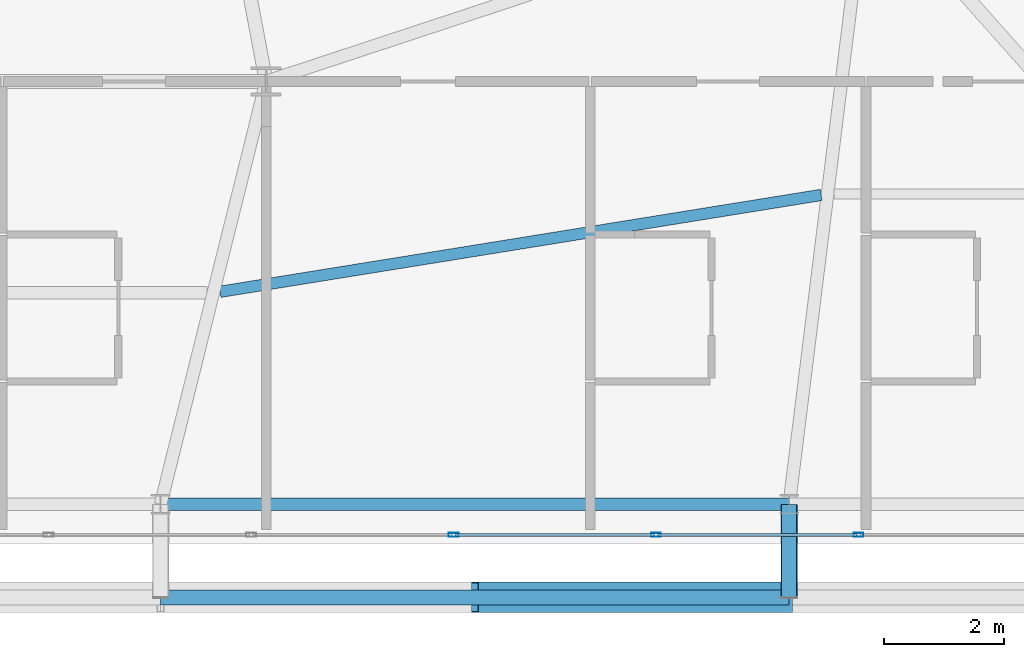
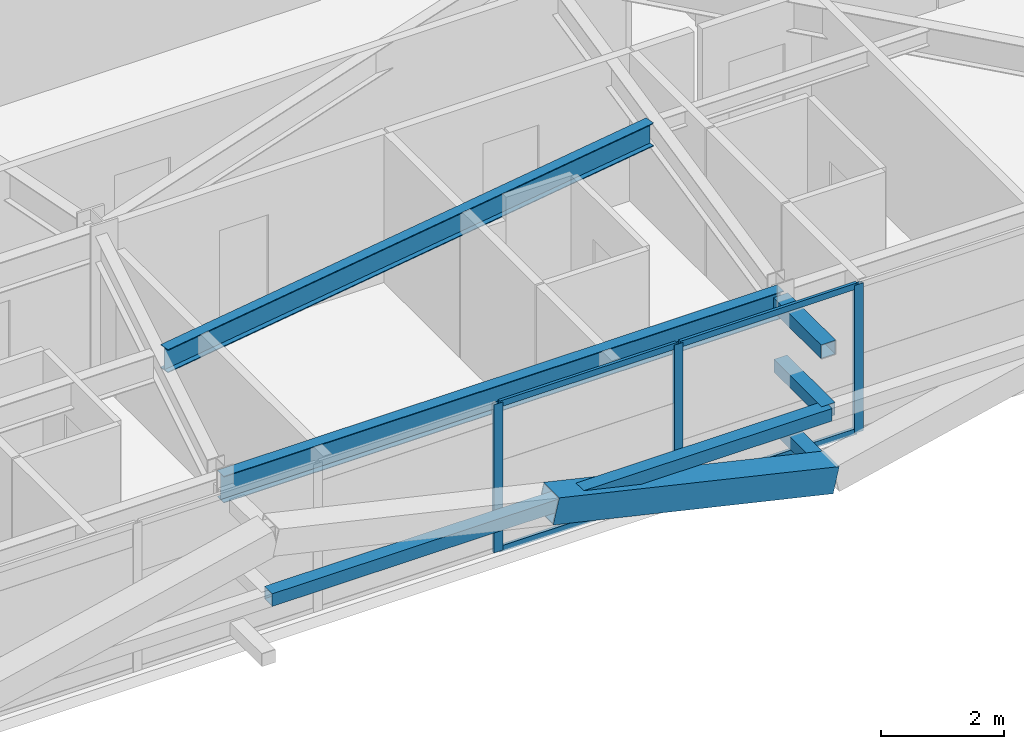
# One storey, part 21 of 59: 12 members, 2 beams, 1 element without a shape of its own.
"""IFC4 building model written with IfcOpenShell, lengths in metres."""

from ifc_helpers import new_model, si_unit, direction, frame, origin, origin_2d, place, context, subcontext, project, spatial, hollow_rectangle, i_section, extrude, source, transform, mapped, material, layer, layer_set, material_profile, profile_set, type_object, element, aggregate, save


model = new_model("IFC4")

# Units and contexts
model_context = context("Model", 3, precision=1e-05, world=origin(), true_north=direction((0.0, 1.0)))
body_context = subcontext(model_context, "Body", "Model", "MODEL_VIEW")
ifc_project = project(units=[si_unit("LENGTHUNIT", "METRE"), si_unit("AREAUNIT", "SQUARE_METRE"), si_unit("VOLUMEUNIT", "CUBIC_METRE"), si_unit("PLANEANGLEUNIT", "RADIAN"), si_unit("MASSUNIT", "GRAM", prefix="KILO")], contexts=[model_context])

# Site, building, storey
site_placement = place(None, origin())
site = spatial("IfcSite", under=ifc_project, at=site_placement, CompositionType="ELEMENT")
building_placement = place(site_placement, origin())
building = spatial("IfcBuilding", under=site, at=building_placement, Name="Taldren Reach Tower", CompositionType="ELEMENT")
storey_placement = place(building_placement, frame((0.0, 0.0, 23.10009765625)))
storey = spatial("IfcBuildingStorey", under=building, at=storey_placement, Name="L06", CompositionType="ELEMENT", Elevation=23.10009765625)

# Beams
ifc_material_1 = material(Name="Steel Gr 350 (350PLUS)", Category="steel")
ifc_material_profile_1 = material_profile(ifc_material_1, i_section(OverallWidth=0.208984375, OverallDepth=0.528076171875, WebThickness=0.009521484375, FlangeThickness=0.01318359375, at=origin_2d()), Name="530UB82.0")
ifc_profile_set_1 = profile_set([ifc_material_profile_1], Name="Steel Gr 350 (350PLUS)")
beam_type_1 = type_object("IfcBeamType", Name="SP-UB530B", PredefinedType="SPANDREL", material=ifc_profile_set_1)
shared_shape_1 = source(origin(), body_context, "Body", "SweptSolid", [
    extrude(i_section(OverallWidth=0.208984375, OverallDepth=0.528076171875, WebThickness=0.009521484375, FlangeThickness=0.01318359375, at=origin_2d()), origin(), (0.0, 0.0, 1.0), 10.47998046875),
])
beam_1_placement = place(storey_placement, frame((40.239990234375, 2.14990234375, 2.666015625), z_axis=(1.0, 0.0, 0.0), x_axis=(0.0, 1.0, 0.0)))
element("IfcBeam", 1, at=beam_1_placement, inside=storey, type_object=beam_type_1, Name="Perimeter spandrel B1 S4-S5 L06", PredefinedType="SPANDREL", context=body_context, shape_type="MappedRepresentation", body=[
    mapped(shared_shape_1, transform((0.0, 0.0, 0.0), scale=1.0)),
])
ifc_material_profile_2 = material_profile(ifc_material_1, i_section(OverallWidth=0.19091796875, OverallDepth=0.4599609375, WebThickness=0.010009765625, FlangeThickness=0.01611328125, at=origin_2d()), Name="460UB82.1")
ifc_profile_set_2 = profile_set([ifc_material_profile_2], Name="Steel Gr 350 (350PLUS)")
beam_type_2 = type_object("IfcBeamType", Name="BM-UB460A", PredefinedType="BEAM", material=ifc_profile_set_2)
shared_shape_2 = source(origin(), body_context, "Body", "SweptSolid", [
    extrude(i_section(OverallWidth=0.19091796875, OverallDepth=0.4599609375, WebThickness=0.010009765625, FlangeThickness=0.01611328125, at=origin_2d()), origin(), (0.0, 0.0, 1.0), 10.1494140625),
])
beam_2_placement = place(storey_placement, frame((41.232177734375, 5.693115234375, 2.699951171875), z_axis=(0.987266967452, 0.159072106224, 0.0), x_axis=(-0.159072106224, 0.987266967452, 0.0)))
element("IfcBeam", 2, at=beam_2_placement, inside=storey, type_object=beam_type_2, Name="Secondary floor beam B1 J4 L06", PredefinedType="BEAM", context=body_context, shape_type="MappedRepresentation", body=[
    mapped(shared_shape_2, transform((0.0, 0.0, 0.0), scale=1.0)),
])

# Members
ifc_material_2 = material(Name="Steel Gr 450 (C450L0)", Category="steel")
ifc_material_profile_3 = material_profile(ifc_material_2, hollow_rectangle(XDim=0.27490234375, YDim=0.27490234375, WallThickness=0.00927734375, at=origin_2d()), Name="275x275x9.3SHS")
ifc_profile_set_3 = profile_set([ifc_material_profile_3], Name="Steel Gr 450 (C450L0)")
member_type_1 = type_object("IfcMemberType", Name="MB-TIE273", PredefinedType="STRUT", material=ifc_profile_set_3)
shared_shape_3 = source(origin(), body_context, "Body", "SweptSolid", [
    extrude(hollow_rectangle(XDim=0.27490234375, YDim=0.27490234375, WallThickness=0.00927734375, at=origin_2d()), origin(), (0.0, 0.0, 1.0), 1.5498046875),
])
member_1_placement = place(storey_placement, frame((50.719970703125, 2.14990234375, 2.64990234375), z_axis=(0.0, -1.0, 0.0), x_axis=(1.0, 0.0, 0.0)))
element("IfcMember", 3, at=member_1_placement, inside=storey, type_object=member_type_1, Name="Exoskeleton diaphragm tie strut B1-S5 L06", PredefinedType="STRUT", context=body_context, shape_type="MappedRepresentation", body=[
    mapped(shared_shape_3, transform((0.0, 0.0, 0.0), scale=1.0)),
])
ifc_material_profile_4 = material_profile(ifc_material_2, hollow_rectangle(XDim=0.510009765625, YDim=0.510009765625, WallThickness=0.02001953125, at=origin_2d()), Name="510x510x20.0SHS")
ifc_profile_set_4 = profile_set([ifc_material_profile_4], Name="Steel Gr 450 (C450L0)")
member_type_2 = type_object("IfcMemberType", Name="MB-EXO508", PredefinedType="BRACE", material=ifc_profile_set_4)
shared_shape_4 = source(origin(), body_context, "Body", "SweptSolid", [
    extrude(hollow_rectangle(XDim=0.510009765625, YDim=0.510009765625, WallThickness=0.02001953125, at=origin_2d()), origin(), (0.0, 0.0, 1.0), 5.37890625),
])
member_2_placement = place(storey_placement, frame((50.719970703125, 0.60009765625, 0.219970703125), z_axis=(-0.974161966843, 0.0, 0.225850531007), x_axis=(0.0, -1.0, 0.0)))
element("IfcMember", 4, at=member_2_placement, inside=storey, type_object=member_type_2, Name="Exoskeleton Diagrid Brace B1-S4 L06", PredefinedType="BRACE", context=body_context, shape_type="MappedRepresentation", body=[
    mapped(shared_shape_4, transform((0.0, 0.0, 0.0), scale=1.0)),
])
ifc_material_3 = material(Name="Steel Gr 350 (C350L0)", Category="steel")
ifc_material_profile_5 = material_profile(ifc_material_3, hollow_rectangle(XDim=0.25, YDim=0.25, WallThickness=0.010009765625, at=origin_2d()), Name="250x250x10.0SHS")
ifc_profile_set_5 = profile_set([ifc_material_profile_5], Name="Steel Gr 350 (C350L0)")
member_type_3 = type_object("IfcMemberType", Name="MB-POST250", PredefinedType="POST", material=ifc_profile_set_5)
shared_shape_5 = source(origin(), body_context, "Body", "SweptSolid", [
    extrude(hollow_rectangle(XDim=0.25, YDim=0.25, WallThickness=0.010009765625, at=origin_2d()), origin(), (0.0, 0.0, 1.0), 10.47998046875),
])
member_3_placement = place(storey_placement, frame((40.239990234375, 0.60009765625, 1.434814453125), z_axis=(1.0, 0.0, 0.0), x_axis=(0.0, 1.0, 0.0)))
element("IfcMember", 5, at=member_3_placement, inside=storey, type_object=member_type_3, Name="Exoskeleton mid-height ring chord B1-S4 L06", PredefinedType="POST", context=body_context, shape_type="MappedRepresentation", body=[
    mapped(shared_shape_5, transform((0.0, 0.0, 0.0), scale=1.0)),
])
shared_shape_6 = source(origin(), body_context, "Body", "SweptSolid", [
    extrude(hollow_rectangle(XDim=0.25, YDim=0.25, WallThickness=0.010009765625, at=origin_2d()), origin(), (0.0, 0.0, 1.0), 1.5498046875),
])
for number, where, z_axis, x_axis, name in (
    (6, (50.719970703125, 2.14990234375, 0.219970703125), (0.0, -1.0, 0.0), (1.0, 0.0, 0.0), "Exoskeleton base diaphragm tie strut B1-S5 L06"),
    (7, (50.719970703125, 2.14990234375, 1.434814453125), (0.0, -1.0, 0.0), (1.0, 0.0, 0.0), "Exoskeleton mid-tier diaphragm tie B1-S5 L06"),
):
    element("IfcMember", number, at=place(storey_placement, frame(where, z_axis=z_axis, x_axis=x_axis)), inside=storey, type_object=member_type_3, Name=name, PredefinedType="POST", context=body_context, shape_type="MappedRepresentation", body=[
        mapped(shared_shape_6, transform((0.0, 0.0, 0.0), scale=1.0)),
    ])

# Curtain wall, members
ifc_material_4 = material(Name="Aluminium and Low-E Glass Unitised System", Category="aluminium")
ifc_layer = layer(ifc_material_4, 0.159912109375)
ifc_layer_set = layer_set([ifc_layer], Name="Aluminium and Low-E Glass Unitised System")
curtain_wall_type = type_object("IfcCurtainWallType", Name="CW-SYS-2", PredefinedType="NOTDEFINED", material=ifc_layer_set)
curtain_wall_placement = place(storey_placement, origin())
curtain_wall = element("IfcCurtainWall", 8, at=curtain_wall_placement, inside=storey, type_object=curtain_wall_type, Name="Unitised curtain wall CW-L06-S", PredefinedType="NOTDEFINED")
ifc_material_5 = material(Name="Anodised Aluminium 6063-T6", Category="aluminium")
ifc_material_profile_6 = material_profile(ifc_material_5, hollow_rectangle(XDim=0.06494140625, YDim=0.1650390625, WallThickness=0.00390625, at=origin_2d()), Name="ALU-165x65x4RHS")
ifc_profile_set_6 = profile_set([ifc_material_profile_6], Name="Anodised Aluminium 6063-T6")
member_type_4 = type_object("IfcMemberType", Name="CW-MUL-165", PredefinedType="MULLION", material=ifc_profile_set_6)
shared_shape_7 = source(origin(), body_context, "Body", "SweptSolid", [
    extrude(hollow_rectangle(XDim=0.06494140625, YDim=0.1650390625, WallThickness=0.00390625, at=origin_2d()), origin(), (0.0, 0.0, 1.0), 2.929931640625),
])
member_4_placement = place(storey_placement, frame((45.125, 1.639892578125, 0.0), z_axis=(0.0, 0.0, 1.0), x_axis=(0.0, 1.0, 0.0)))
member_4 = element("IfcMember", 9, at=member_4_placement, type_object=member_type_4, Name="CW-2 mullion 12", PredefinedType="MULLION", context=body_context, shape_type="MappedRepresentation", body=[
    mapped(shared_shape_7, transform((0.0, 0.0, 0.0), scale=1.0)),
])
member_5_placement = place(storey_placement, frame((48.5, 1.639892578125, 0.0), z_axis=(0.0, 0.0, 1.0), x_axis=(0.0, 1.0, 0.0)))
member_5 = element("IfcMember", 10, at=member_5_placement, type_object=member_type_4, Name="CW-2 mullion 13", PredefinedType="MULLION", context=body_context, shape_type="MappedRepresentation", body=[
    mapped(shared_shape_7, transform((0.0, 0.0, 0.0), scale=1.0)),
])
member_6_placement = place(storey_placement, frame((51.875, 1.639892578125, 0.0), z_axis=(0.0, 0.0, 1.0), x_axis=(0.0, 1.0, 0.0)))
member_6 = element("IfcMember", 11, at=member_6_placement, type_object=member_type_4, Name="CW-2 mullion 14", PredefinedType="MULLION", context=body_context, shape_type="MappedRepresentation", body=[
    mapped(shared_shape_7, transform((0.0, 0.0, 0.0), scale=1.0)),
])
ifc_material_profile_7 = material_profile(ifc_material_5, hollow_rectangle(XDim=0.054931640625, YDim=0.1201171875, WallThickness=0.0029296875, at=origin_2d()), Name="ALU-120x55x3RHS")
ifc_profile_set_7 = profile_set([ifc_material_profile_7], Name="Anodised Aluminium 6063-T6")
member_type_5 = type_object("IfcMemberType", Name="CW-TRN-135", PredefinedType="USERDEFINED", material=ifc_profile_set_7)
shared_shape_8 = source(origin(), body_context, "Body", "SweptSolid", [
    extrude(hollow_rectangle(XDim=0.054931640625, YDim=0.1201171875, WallThickness=0.0029296875, at=origin_2d()), origin(), (0.0, 0.0, 1.0), 3.31005859375),
])
member_7_placement = place(storey_placement, frame((45.157470703125, 1.639892578125, 0.02734375), z_axis=(1.0, 0.0, 0.0), x_axis=(0.0, 1.0, 0.0)))
member_7 = element("IfcMember", 12, at=member_7_placement, type_object=member_type_5, Name="CW-2 transom 12.1", ObjectType="TRANSOM", PredefinedType="USERDEFINED", context=body_context, shape_type="MappedRepresentation", body=[
    mapped(shared_shape_8, transform((0.0, 0.0, 0.0), scale=1.0)),
])
member_8_placement = place(storey_placement, frame((45.157470703125, 1.639892578125, 2.90234375), z_axis=(1.0, 0.0, 0.0), x_axis=(0.0, 1.0, 0.0)))
member_8 = element("IfcMember", 13, at=member_8_placement, type_object=member_type_5, Name="CW-2 transom 12.2", ObjectType="TRANSOM", PredefinedType="USERDEFINED", context=body_context, shape_type="MappedRepresentation", body=[
    mapped(shared_shape_8, transform((0.0, 0.0, 0.0), scale=1.0)),
])
member_9_placement = place(storey_placement, frame((48.532470703125, 1.639892578125, 0.02734375), z_axis=(1.0, 0.0, 0.0), x_axis=(0.0, 1.0, 0.0)))
member_9 = element("IfcMember", 14, at=member_9_placement, type_object=member_type_5, Name="CW-2 transom 13.1", ObjectType="TRANSOM", PredefinedType="USERDEFINED", context=body_context, shape_type="MappedRepresentation", body=[
    mapped(shared_shape_8, transform((0.0, 0.0, 0.0), scale=1.0)),
])
member_10_placement = place(storey_placement, frame((48.532470703125, 1.639892578125, 2.90234375), z_axis=(1.0, 0.0, 0.0), x_axis=(0.0, 1.0, 0.0)))
member_10 = element("IfcMember", 15, at=member_10_placement, type_object=member_type_5, Name="CW-2 transom 13.2", ObjectType="TRANSOM", PredefinedType="USERDEFINED", context=body_context, shape_type="MappedRepresentation", body=[
    mapped(shared_shape_8, transform((0.0, 0.0, 0.0), scale=1.0)),
])
aggregate(curtain_wall, [member_4, member_5, member_6, member_7, member_8, member_9, member_10])

save(model, "model.ifc")
